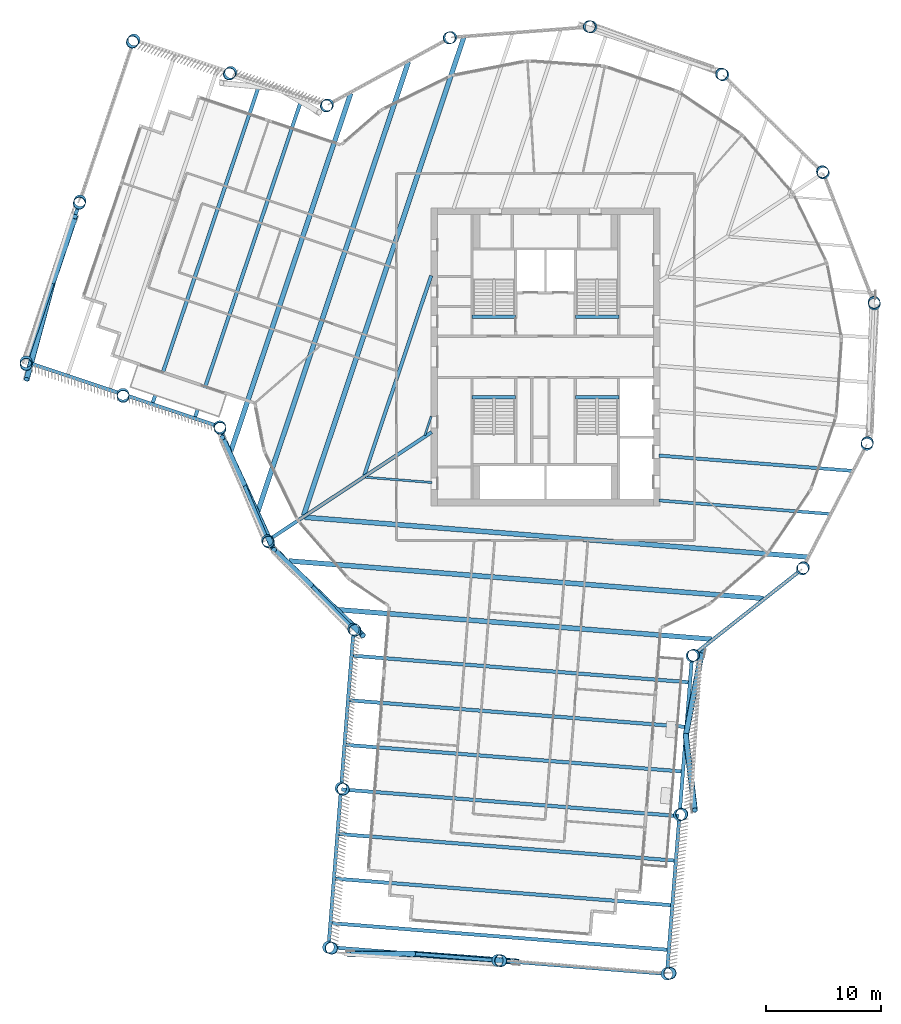
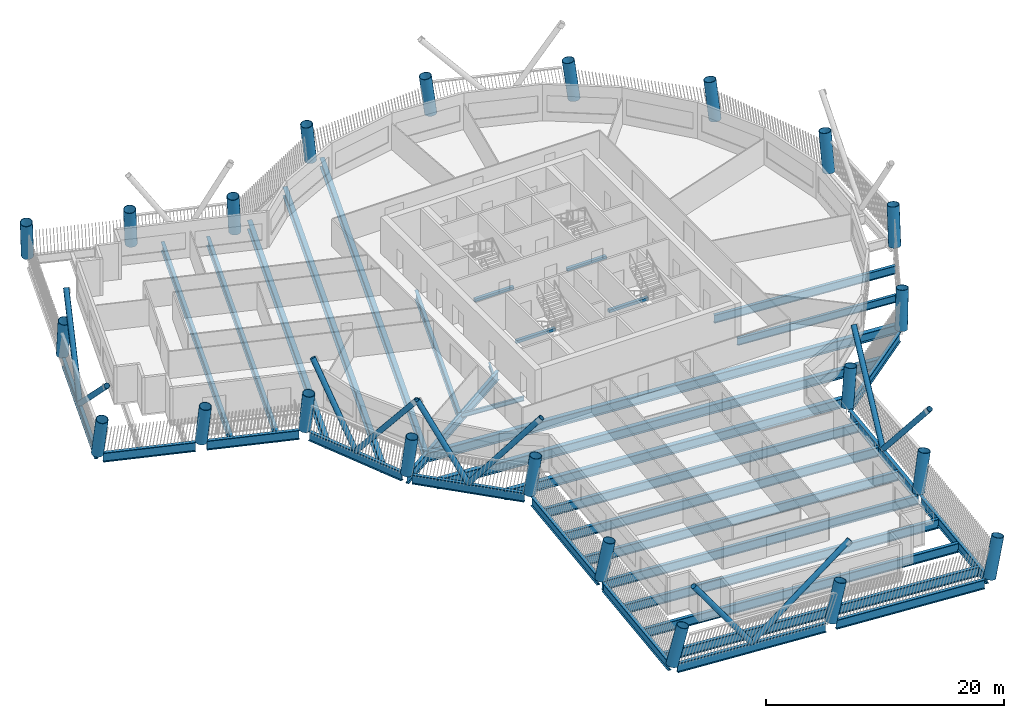
# One storey, part 1 of 21: 37 beams, 22 columns, 10 members.
"""IFC4 building model written with IfcOpenShell, lengths in metres."""

from ifc_helpers import new_model, si_unit, direction, frame, origin, origin_2d, place, context, subcontext, project, spatial, rectangle, hollow_circle, i_section, extrude, material, material_profile, profile_set, type_object, element, save


model = new_model("IFC4")

# Units and contexts
model_context = context("Model", 3, precision=1e-05, world=origin(), true_north=direction((0.0, 1.0)))
body_context = subcontext(model_context, "Body", "Model", "MODEL_VIEW")
ifc_project = project(units=[si_unit("LENGTHUNIT", "METRE"), si_unit("AREAUNIT", "SQUARE_METRE"), si_unit("VOLUMEUNIT", "CUBIC_METRE"), si_unit("PLANEANGLEUNIT", "RADIAN"), si_unit("MASSUNIT", "GRAM", prefix="KILO")], contexts=[model_context])

# Site, building, storey
site_placement = place(None, origin())
site = spatial("IfcSite", under=ifc_project, at=site_placement, CompositionType="ELEMENT")
building_placement = place(site_placement, origin())
building = spatial("IfcBuilding", under=site, at=building_placement, Name="Tarsis Ring Headquarters", CompositionType="ELEMENT")
storey_placement = place(building_placement, frame((0.0, 0.0, 208.199951171875)))
storey = spatial("IfcBuildingStorey", under=building, at=storey_placement, Name="L48", CompositionType="ELEMENT", Elevation=208.199951171875)

# Columns
ifc_material_1 = material(Name="Structural steel S355", Category="steel")
ifc_material_profile_1 = material_profile(ifc_material_1, hollow_circle(Radius=0.533447265625, WallThickness=0.044921875, at=origin_2d()), Name="CHS 1067x45")
ifc_profile_set_1 = profile_set([ifc_material_profile_1], Name="Structural steel S355")
column_type = type_object("IfcColumnType", Name="XC Exo column CHS 1067x45", PredefinedType="COLUMN", material=ifc_profile_set_1)
for number, where, z_axis, x_axis, name in (
    (1, (-24.228759765625, -16.024658203125, 0.001220703125), (0.06917861077, -0.102680202149, 0.992305948737), (0.829337229102, 0.558748387403, 0.0), "Exo column XC5 F1"),
    (2, (-16.7236328125, -23.75146484375, 0.001220703125), (0.101809809311, -0.070483714138, 0.992303788549), (0.56920997883, 0.822192191644, 0.0), "Exo column XC5 AK"),
):
    element("IfcColumn", number, at=place(storey_placement, frame(where, z_axis=z_axis, x_axis=x_axis)), inside=storey, type_object=column_type, Name=name, PredefinedType="COLUMN", context=body_context, shape_type="SweptSolid", body=[
        extrude(hollow_circle(Radius=0.533447265625, WallThickness=0.044921875, at=origin_2d()), origin(), (0.0, 0.0, 1.0), 3.927978515625),
    ])
column_1_placement = place(storey_placement, frame((-17.819091796875, -37.610595703125, 0.00146484375), z_axis=(0.159656632717, -0.074000756763, 0.984395066845), x_axis=(0.420524337535, 0.907281258233, 0.0)))
element("IfcColumn", 3, at=column_1_placement, inside=storey, type_object=column_type, Name="Exo column XC5 AI1", PredefinedType="COLUMN", context=body_context, shape_type="SweptSolid", body=[
    extrude(hollow_circle(Radius=0.533447265625, WallThickness=0.044921875, at=origin_2d()), origin(), (0.0, 0.0, 1.0), 3.958984375),
])
column_2_placement = place(storey_placement, frame((-18.91455078125, -51.469482421875, 0.001708984375), z_axis=(0.21588057104, -0.077326713017, 0.973353049259), x_axis=(0.337212290085, 0.941428633204, 0.0)))
element("IfcColumn", 4, at=column_2_placement, inside=storey, type_object=column_type, Name="Exo column XC5 AT1", PredefinedType="COLUMN", context=body_context, shape_type="SweptSolid", body=[
    extrude(hollow_circle(Radius=0.533447265625, WallThickness=0.044921875, at=origin_2d()), origin(), (0.0, 0.0, 1.0), 4.00341796875),
])
column_3_placement = place(storey_placement, frame((-4.16064453125, -52.6357421875, 0.001708984375), z_axis=(0.220693571578, -0.015580526233, 0.975218741958), x_axis=(0.070422728568, 0.997517237596, 0.0)))
element("IfcColumn", 5, at=column_3_placement, inside=storey, type_object=column_type, Name="Exo column XC5 AT2", PredefinedType="COLUMN", context=body_context, shape_type="SweptSolid", body=[
    extrude(hollow_circle(Radius=0.533447265625, WallThickness=0.044921875, at=origin_2d()), origin(), (0.0, 0.0, 1.0), 3.995849609375),
])
column_4_placement = place(storey_placement, frame((10.59326171875, -53.802001953125, 0.001708984375), z_axis=(0.224601958053, 0.046164453502, 0.973356462798), x_axis=(-0.201330228698, 0.979523424433, 0.0)))
element("IfcColumn", 6, at=column_4_placement, inside=storey, type_object=column_type, Name="Exo column XC5 AT3", PredefinedType="COLUMN", context=body_context, shape_type="SweptSolid", body=[
    extrude(hollow_circle(Radius=0.533447265625, WallThickness=0.044921875, at=origin_2d()), origin(), (0.0, 0.0, 1.0), 4.00341796875),
])
column_5_placement = place(storey_placement, frame((11.688720703125, -39.943115234375, 0.00146484375), z_axis=(0.168534482594, 0.050874843813, 0.984381977915), x_axis=(-0.288986420411, 0.957333196342, 0.0)))
element("IfcColumn", 7, at=column_5_placement, inside=storey, type_object=column_type, Name="Exo column XC5 AO1", PredefinedType="COLUMN", context=body_context, shape_type="SweptSolid", body=[
    extrude(hollow_circle(Radius=0.533447265625, WallThickness=0.044921875, at=origin_2d()), origin(), (0.0, 0.0, 1.0), 3.958984375),
])
for number, where, z_axis, x_axis, name in (
    (8, (12.7841796875, -26.083984375, 0.001220703125), (0.110760035569, 0.055380017784, 0.992303012265), (-0.4472135955, 0.894427191, 0.0), "Exo column XC5 AJ"),
    (9, (22.3994140625, -18.49560546875, 0.001220703125), (0.078004578595, 0.096153851065, 0.992305256785), (-0.776589790531, 0.630006585079, 0.0), "Exo column XC5 R1"),
    (10, (28.03173828125, -7.618408203125, 0.001220703125), (0.0314503829, 0.11977250563, 0.992303088935), (-0.967210932296, 0.253974432663, 0.0), "Exo column XC5 R2"),
    (11, (28.679931640625, 4.61328125, 0.001220703125), (-0.02069763118, 0.122072515427, 0.992305350707), (-0.985928743026, -0.167166125981, 0.0), "Exo column XC5 R3"),
    (12, (24.228759765625, 16.024658203125, 0.001220703125), (-0.06917861077, 0.102680202149, 0.992305948737), (-0.829337229102, -0.558748387403, 0.0), "Exo column XC5 R4"),
    (13, (15.469482421875, 24.5869140625, 0.001220703125), (-0.105353019813, 0.065014311932, 0.992307351812), (-0.525161483313, -0.851002594852, 0.0), "Exo column XC5 R5"),
    (14, (3.959716796875, 28.77734375, 0.001220703125), (-0.122818040081, 0.015849494039, 0.992302636583), (-0.127987263137, -0.9917758116, 0.0), "Exo column XC5 R6"),
    (15, (-8.25390625, 27.85107421875, 0.001220703125), (-0.118466750299, -0.036174002452, 0.992298881699), (0.292040054388, -0.956406088768, 0.0), "Exo column XC5 R7"),
    (16, (-19.000244140625, 21.972900390625, 0.001220703125), (-0.092983649687, -0.081795777398, 0.992302117145), (0.660492114826, -0.750832981596, 0.0), "Exo column XC5 BJ"),
):
    element("IfcColumn", number, at=place(storey_placement, frame(where, z_axis=z_axis, x_axis=x_axis)), inside=storey, type_object=column_type, Name=name, PredefinedType="COLUMN", context=body_context, shape_type="SweptSolid", body=[
        extrude(hollow_circle(Radius=0.533447265625, WallThickness=0.044921875, at=origin_2d()), origin(), (0.0, 0.0, 1.0), 3.927978515625),
    ])
column_6_placement = place(storey_placement, frame((-27.44140625, 24.800537109375, 0.001220703125), z_axis=(-0.104242315147, -0.117295803869, 0.987610871815), x_axis=(0.747474568205, -0.664290425858, 0.0)))
element("IfcColumn", 17, at=column_6_placement, inside=storey, type_object=column_type, Name="Exo column XC5 BO1", PredefinedType="COLUMN", context=body_context, shape_type="SweptSolid", body=[
    extrude(hollow_circle(Radius=0.533447265625, WallThickness=0.044921875, at=origin_2d()), origin(), (0.0, 0.0, 1.0), 3.9462890625),
])
column_7_placement = place(storey_placement, frame((-35.882568359375, 27.628173828125, 0.00146484375), z_axis=(-0.115235335313, -0.152314794861, 0.981591065955), x_axis=(0.797481746387, -0.603343073367, 0.0)))
element("IfcColumn", 18, at=column_7_placement, inside=storey, type_object=column_type, Name="Exo column XC5 BT3", PredefinedType="COLUMN", context=body_context, shape_type="SweptSolid", body=[
    extrude(hollow_circle(Radius=0.533447265625, WallThickness=0.044921875, at=origin_2d()), origin(), (0.0, 0.0, 1.0), 3.97021484375),
])
column_8_placement = place(storey_placement, frame((-40.58349609375, 13.594482421875, 0.00146484375), z_axis=(-0.056005221801, -0.171958827334, 0.983510842255), x_axis=(0.950841107137, -0.309679171045, 0.0)))
element("IfcColumn", 19, at=column_8_placement, inside=storey, type_object=column_type, Name="Exo column XC5 BT2", PredefinedType="COLUMN", context=body_context, shape_type="SweptSolid", body=[
    extrude(hollow_circle(Radius=0.533447265625, WallThickness=0.044921875, at=origin_2d()), origin(), (0.0, 0.0, 1.0), 3.962646484375),
])
column_9_placement = place(storey_placement, frame((-45.284423828125, -0.43896484375, 0.00146484375), z_axis=(0.003443553018, -0.190932716457, 0.981597086247), x_axis=(0.999837401357, 0.018032494195, 0.0)))
element("IfcColumn", 20, at=column_9_placement, inside=storey, type_object=column_type, Name="Exo column XC5 BT1", PredefinedType="COLUMN", context=body_context, shape_type="SweptSolid", body=[
    extrude(hollow_circle(Radius=0.533447265625, WallThickness=0.044921875, at=origin_2d()), origin(), (0.0, 0.0, 1.0), 3.97021484375),
])
column_10_placement = place(storey_placement, frame((-36.84326171875, -3.2666015625, 0.001220703125), z_axis=(0.015156847819, -0.156208329562, 0.987607830943), x_axis=(0.995325598881, 0.096576147218, 0.0)))
element("IfcColumn", 21, at=column_10_placement, inside=storey, type_object=column_type, Name="Exo column XC5 BI1", PredefinedType="COLUMN", context=body_context, shape_type="SweptSolid", body=[
    extrude(hollow_circle(Radius=0.533447265625, WallThickness=0.044921875, at=origin_2d()), origin(), (0.0, 0.0, 1.0), 3.9462890625),
])
column_11_placement = place(storey_placement, frame((-28.402099609375, -6.09423828125, 0.001220703125), z_axis=(0.026975327197, -0.1208295762, 0.992306679025), x_axis=(0.975973960756, 0.217887190827, 0.0)))
element("IfcColumn", 22, at=column_11_placement, inside=storey, type_object=column_type, Name="Exo column XC5 BK", PredefinedType="COLUMN", context=body_context, shape_type="SweptSolid", body=[
    extrude(hollow_circle(Radius=0.533447265625, WallThickness=0.044921875, at=origin_2d()), origin(), (0.0, 0.0, 1.0), 3.927978515625),
])

# Beams
ifc_material_profile_2 = material_profile(ifc_material_1, i_section(OverallWidth=0.177734375, OverallDepth=0.406494140625, WebThickness=0.0078125, FlangeThickness=0.0126953125, at=origin_2d()), Name="W16x40")
ifc_profile_set_2 = profile_set([ifc_material_profile_2], Name="Structural steel S355")
beam_type_1 = type_object("IfcBeamType", Name="FB Floor beam W16x40", PredefinedType="JOIST", material=ifc_profile_set_2)
beam_1_placement = place(storey_placement, frame((-9.96826171875, -5.200927734375, -0.363037109375), z_axis=(-0.317621241332, -0.948217668605, 0.0), x_axis=(0.948217668605, -0.317621241332, 0.0)))
element("IfcBeam", 23, at=beam_1_placement, inside=storey, type_object=beam_type_1, Name="Floor beam FB1", PredefinedType="JOIST", context=body_context, shape_type="SweptSolid", body=[
    extrude(i_section(OverallWidth=0.177734375, OverallDepth=0.406494140625, WebThickness=0.0078125, FlangeThickness=0.0126953125, at=origin_2d()), origin(), (0.0, 0.0, 1.0), 1.734130859375),
])
ifc_material_profile_3 = material_profile(ifc_material_1, i_section(OverallWidth=0.1904296875, OverallDepth=0.457275390625, WebThickness=0.009033203125, FlangeThickness=0.014404296875, at=origin_2d()), Name="W18x50")
ifc_profile_set_3 = profile_set([ifc_material_profile_3], Name="Structural steel S355")
beam_type_2 = type_object("IfcBeamType", Name="FB Floor beam W18x50", PredefinedType="JOIST", material=ifc_profile_set_3)
beam_2_placement = place(storey_placement, frame((-15.699462890625, -10.495361328125, -0.388671875), z_axis=(0.996889043418, -0.078817733488, 0.0), x_axis=(0.078817733488, 0.996889043418, 0.0)))
element("IfcBeam", 24, at=beam_2_placement, inside=storey, type_object=beam_type_2, Name="Floor beam FB2", PredefinedType="JOIST", context=body_context, shape_type="SweptSolid", body=[
    extrude(i_section(OverallWidth=0.1904296875, OverallDepth=0.457275390625, WebThickness=0.009033203125, FlangeThickness=0.014404296875, at=origin_2d()), origin(), (0.0, 0.0, 1.0), 5.817138671875),
])
ifc_material_profile_4 = material_profile(ifc_material_1, i_section(OverallWidth=0.2666015625, OverallDepth=0.7568359375, WebThickness=0.013916015625, FlangeThickness=0.019287109375, at=origin_2d()), Name="W30x108")
ifc_profile_set_4 = profile_set([ifc_material_profile_4], Name="Structural steel S355")
beam_type_3 = type_object("IfcBeamType", Name="FB Floor beam W30x108", PredefinedType="JOIST", material=ifc_profile_set_4)
beam_3_placement = place(storey_placement, frame((9.900390625, -12.51904296875, -0.538330078125), z_axis=(0.996889414895, -0.078813034897, 0.0), x_axis=(0.078813034897, 0.996889414895, 0.0)))
element("IfcBeam", 25, at=beam_3_placement, inside=storey, type_object=beam_type_3, Name="Floor beam FB6", PredefinedType="JOIST", context=body_context, shape_type="SweptSolid", body=[
    extrude(i_section(OverallWidth=0.2666015625, OverallDepth=0.7568359375, WebThickness=0.013916015625, FlangeThickness=0.019287109375, at=origin_2d()), origin(), (0.0, 0.0, 1.0), 14.958984375),
])
ifc_material_profile_5 = material_profile(ifc_material_1, i_section(OverallWidth=0.2919921875, OverallDepth=0.835693359375, WebThickness=0.013916015625, FlangeThickness=0.018798828125, at=origin_2d()), Name="W33x118")
ifc_profile_set_5 = profile_set([ifc_material_profile_5], Name="Structural steel S355")
beam_type_4 = type_object("IfcBeamType", Name="FB Floor beam W33x118", PredefinedType="JOIST", material=ifc_profile_set_5)
beam_4_placement = place(storey_placement, frame((9.900390625, -8.60693359375, -0.577880859375), z_axis=(0.996889707509, -0.078809333603, 0.0), x_axis=(0.078809333603, 0.996889707509, 0.0)))
element("IfcBeam", 26, at=beam_4_placement, inside=storey, type_object=beam_type_4, Name="Floor beam FB7", PredefinedType="JOIST", context=body_context, shape_type="SweptSolid", body=[
    extrude(i_section(OverallWidth=0.2919921875, OverallDepth=0.835693359375, WebThickness=0.013916015625, FlangeThickness=0.018798828125, at=origin_2d()), origin(), (0.0, 0.0, 1.0), 16.9111328125),
])
ifc_material_profile_6 = material_profile(ifc_material_1, i_section(OverallWidth=0.3046875, OverallDepth=0.904296875, WebThickness=0.01513671875, FlangeThickness=0.02001953125, at=origin_2d()), Name="W36x135")
ifc_profile_set_6 = profile_set([ifc_material_profile_6], Name="Structural steel S355")
beam_type_5 = type_object("IfcBeamType", Name="FB Floor beam W36x135", PredefinedType="JOIST", material=ifc_profile_set_6)
beam_5_placement = place(storey_placement, frame((-9.96826171875, 7.0771484375, -0.612060546875), z_axis=(-0.31763102018, -0.948214392962, 0.0), x_axis=(0.948214392962, -0.31763102018, 0.0)))
element("IfcBeam", 27, at=beam_5_placement, inside=storey, type_object=beam_type_5, Name="Floor beam FB8", PredefinedType="JOIST", context=body_context, shape_type="SweptSolid", body=[
    extrude(i_section(OverallWidth=0.3046875, OverallDepth=0.904296875, WebThickness=0.01513671875, FlangeThickness=0.02001953125, at=origin_2d()), origin(), (0.0, 0.0, 1.0), 18.367919921875),
])
ifc_material_profile_7 = material_profile(ifc_material_1, i_section(OverallWidth=0.309814453125, OverallDepth=0.949951171875, WebThickness=0.0244140625, FlangeThickness=0.0439453125, at=origin_2d()), Name="W36x256")
ifc_profile_set_7 = profile_set([ifc_material_profile_7], Name="Structural steel S355")
beam_type_6 = type_object("IfcBeamType", Name="FB Floor beam W36x256", PredefinedType="JOIST", material=ifc_profile_set_7)
for number, where, z_axis, x_axis, name in (
    (28, (-16.8505859375, -26.052978515625, -0.635009765625), (0.996889390872, -0.078813338768, 0.0), (0.078813338768, 0.996889390872, 0.0), "Floor beam FB11"),
    (29, (-17.157958984375, -29.94091796875, -0.635009765625), (0.996890041281, -0.078805111472, 0.0), (0.078805111472, 0.996890041281, 0.0), "Floor beam FB11"),
    (30, (-17.46533203125, -33.828857421875, -0.635009765625), (0.996890041281, -0.078805111472, 0.0), (0.078805111472, 0.996890041281, 0.0), "Floor beam FB11"),
    (31, (-17.772705078125, -37.716796875, -0.635009765625), (0.996890041281, -0.078805111472, 0.0), (0.078805111472, 0.996890041281, 0.0), "Floor beam FB11"),
    (32, (-18.080078125, -41.6044921875, -0.635009765625), (0.996889390872, -0.078813338768, 0.0), (0.078813338768, 0.996889390872, 0.0), "Floor beam FB11"),
    (33, (-18.387451171875, -45.492431640625, -0.635009765625), (0.996890041281, -0.078805111472, 0.0), (0.078805111472, 0.996890041281, 0.0), "Floor beam FB11"),
    (34, (-18.69482421875, -49.38037109375, -0.635009765625), (0.996890041281, -0.078805111472, 0.0), (0.078805111472, 0.996890041281, 0.0), "Floor beam FB11"),
    (35, (-21.20263671875, 22.65283203125, -0.635009765625), (-0.317638111096, -0.948212017631, 0.0), (0.948212017631, -0.317638111096, 0.0), "Floor beam FB11"),
    (36, (-24.900634765625, 23.8916015625, -0.635009765625), (-0.317638111096, -0.948212017631, 0.0), (0.948212017631, -0.317638111096, 0.0), "Floor beam FB11"),
):
    element("IfcBeam", number, at=place(storey_placement, frame(where, z_axis=z_axis, x_axis=x_axis)), inside=storey, type_object=beam_type_6, Name=name, PredefinedType="JOIST", context=body_context, shape_type="SweptSolid", body=[
        extrude(i_section(OverallWidth=0.309814453125, OverallDepth=0.949951171875, WebThickness=0.0244140625, FlangeThickness=0.0439453125, at=origin_2d()), origin(), (0.0, 0.0, 1.0), 29.490234375),
    ])
beam_type_7 = type_object("IfcBeamType", Name="FB Floor beam W36x256 spine", PredefinedType="BEAM", material=ifc_profile_set_7)
beam_6_placement = place(storey_placement, frame((-9.91650390625, -6.55859375, -0.635009765625), z_axis=(-0.834078455708, -0.551645837221, 0.0), x_axis=(0.551645837221, -0.834078455708, 0.0)))
element("IfcBeam", 37, at=beam_6_placement, inside=storey, type_object=beam_type_7, Name="Floor beam SB11", PredefinedType="BEAM", context=body_context, shape_type="SweptSolid", body=[
    extrude(i_section(OverallWidth=0.309814453125, OverallDepth=0.949951171875, WebThickness=0.0244140625, FlangeThickness=0.0439453125, at=origin_2d()), origin(), (0.0, 0.0, 1.0), 17.101806640625),
])
ifc_material_profile_8 = material_profile(ifc_material_1, i_section(OverallWidth=0.42431640625, OverallDepth=0.947509765625, WebThickness=0.02392578125, FlangeThickness=0.042724609375, at=origin_2d()), Name="W36x302")
ifc_profile_set_8 = profile_set([ifc_material_profile_8], Name="Structural steel S355")
beam_type_8 = type_object("IfcBeamType", Name="FB Floor beam W36x302", PredefinedType="JOIST", material=ifc_profile_set_8)
beam_7_placement = place(storey_placement, frame((-20.983154296875, -13.989990234375, -0.633544921875), z_axis=(0.996890156079, -0.07880365926, 0.0), x_axis=(0.07880365926, 0.996890156079, 0.0)))
element("IfcBeam", 38, at=beam_7_placement, inside=storey, type_object=beam_type_8, Name="Floor beam FB12", PredefinedType="JOIST", context=body_context, shape_type="SweptSolid", body=[
    extrude(i_section(OverallWidth=0.42431640625, OverallDepth=0.947509765625, WebThickness=0.02392578125, FlangeThickness=0.042724609375, at=origin_2d()), origin(), (0.0, 0.0, 1.0), 43.986572265625),
])
beam_8_placement = place(storey_placement, frame((-22.38916015625, -17.791015625, -0.633544921875), z_axis=(0.996890155742, -0.078803663522, 0.0), x_axis=(0.078803663522, 0.996890155742, 0.0)))
element("IfcBeam", 39, at=beam_8_placement, inside=storey, type_object=beam_type_8, Name="Floor beam FB12", PredefinedType="JOIST", context=body_context, shape_type="SweptSolid", body=[
    extrude(i_section(OverallWidth=0.42431640625, OverallDepth=0.947509765625, WebThickness=0.02392578125, FlangeThickness=0.042724609375, at=origin_2d()), origin(), (0.0, 0.0, 1.0), 41.523681640625),
])
beam_9_placement = place(storey_placement, frame((-18.273193359375, -22.028564453125, -0.633544921875), z_axis=(0.996890416008, -0.078800371015, 0.0), x_axis=(0.078800371015, 0.996890416008, 0.0)))
element("IfcBeam", 40, at=beam_9_placement, inside=storey, type_object=beam_type_8, Name="Floor beam FB12", PredefinedType="JOIST", context=body_context, shape_type="SweptSolid", body=[
    extrude(i_section(OverallWidth=0.42431640625, OverallDepth=0.947509765625, WebThickness=0.02392578125, FlangeThickness=0.042724609375, at=origin_2d()), origin(), (0.0, 0.0, 1.0), 32.875244140625),
])
beam_10_placement = place(storey_placement, frame((-7.114501953125, 27.87451171875, -0.633544921875), z_axis=(-0.317634427508, -0.948213251574, 0.0), x_axis=(0.948213251574, -0.317634427508, 0.0)))
element("IfcBeam", 41, at=beam_10_placement, inside=storey, type_object=beam_type_8, Name="Floor beam FB12", PredefinedType="JOIST", context=body_context, shape_type="SweptSolid", body=[
    extrude(i_section(OverallWidth=0.42431640625, OverallDepth=0.947509765625, WebThickness=0.02392578125, FlangeThickness=0.042724609375, at=origin_2d()), origin(), (0.0, 0.0, 1.0), 43.986572265625),
])
beam_11_placement = place(storey_placement, frame((-11.94482421875, 25.733154296875, -0.633544921875), z_axis=(-0.317634974091, -0.948213068479, 0.0), x_axis=(0.948213068479, -0.317634974091, 0.0)))
element("IfcBeam", 42, at=beam_11_placement, inside=storey, type_object=beam_type_8, Name="Floor beam FB12", PredefinedType="JOIST", context=body_context, shape_type="SweptSolid", body=[
    extrude(i_section(OverallWidth=0.42431640625, OverallDepth=0.947509765625, WebThickness=0.02392578125, FlangeThickness=0.042724609375, at=origin_2d()), origin(), (0.0, 0.0, 1.0), 41.52392578125),
])
beam_12_placement = place(storey_placement, frame((-16.98046875, 22.978515625, -0.633544921875), z_axis=(-0.317635434145, -0.948212914369, 0.0), x_axis=(0.948212914369, -0.317635434145, 0.0)))
element("IfcBeam", 43, at=beam_12_placement, inside=storey, type_object=beam_type_8, Name="Floor beam FB12", PredefinedType="JOIST", context=body_context, shape_type="SweptSolid", body=[
    extrude(i_section(OverallWidth=0.42431640625, OverallDepth=0.947509765625, WebThickness=0.02392578125, FlangeThickness=0.042724609375, at=origin_2d()), origin(), (0.0, 0.0, 1.0), 32.87548828125),
])
ifc_material_2 = material(Name="Concrete C40/50", Category="concrete")
ifc_material_profile_9 = material_profile(ifc_material_2, rectangle(XDim=0.300048828125, YDim=0.300048828125, at=origin_2d()), Name="Stair head beam 300x300 C40/50")
ifc_profile_set_9 = profile_set([ifc_material_profile_9], Name="Concrete C40/50")
beam_type_9 = type_object("IfcBeamType", Name="Stair head beam 300x300 C40/50", PredefinedType="BEAM", material=ifc_profile_set_9)
for number, where, z_axis, x_axis, name in (
    (44, (-6.39990234375, 3.510009765625, -0.31005859375), (1.0, 0.0, 0.0), (0.0, 1.0, 0.0), "Stair head beam L48 Firefighting stair"),
    (45, (2.60009765625, 3.510009765625, -0.31005859375), (1.0, 0.0, 0.0), (0.0, 1.0, 0.0), "Stair head beam L48 Exit stair B"),
    (46, (-6.39990234375, -3.510009765625, -0.31005859375), (1.0, 0.0, 0.0), (0.0, 1.0, 0.0), "Stair head beam L48 Exit stair C"),
    (47, (2.60009765625, -3.510009765625, -0.31005859375), (1.0, 0.0, 0.0), (0.0, 1.0, 0.0), "Stair head beam L48 Exit stair D"),
):
    element("IfcBeam", number, at=place(storey_placement, frame(where, z_axis=z_axis, x_axis=x_axis)), inside=storey, type_object=beam_type_9, Name=name, PredefinedType="BEAM", context=body_context, shape_type="SweptSolid", body=[
        extrude(rectangle(XDim=0.300048828125, YDim=0.300048828125, at=origin_2d()), origin(), (0.0, 0.0, 1.0), 3.7998046875),
    ])

# Members
ifc_material_profile_10 = material_profile(ifc_material_1, hollow_circle(Radius=0.25390625, WallThickness=0.02001953125, at=origin_2d()), Name="CHS 508x20")
ifc_profile_set_10 = profile_set([ifc_material_profile_10], Name="Structural steel S355")
member_type = type_object("IfcMemberType", Name="XD X brace CHS 508x20", PredefinedType="BRACE", material=ifc_profile_set_10)
member_1_placement = place(storey_placement, frame((-20.476318359375, -19.887939453125, 0.0), z_axis=(0.453355644605, -0.438711684154, 0.775887052148), x_axis=(0.695405396535, 0.718617655273, 0.0)))
element("IfcMember", 48, at=member_1_placement, inside=storey, type_object=member_type, Name="X brace XD2", PredefinedType="BRACE", context=body_context, shape_type="SweptSolid", body=[
    extrude(hollow_circle(Radius=0.25390625, WallThickness=0.02001953125, at=origin_2d()), origin(), (0.0, 0.0, 1.0), 10.052978515625),
])
member_2_placement = place(storey_placement, frame((-20.476318359375, -19.887939453125, 0.0), z_axis=(-0.356955903896, 0.341224259789, 0.869567988834), x_axis=(-0.690998609174, -0.722856086728, 0.0)))
element("IfcMember", 49, at=member_2_placement, inside=storey, type_object=member_type, Name="X brace XD2", PredefinedType="BRACE", context=body_context, shape_type="SweptSolid", body=[
    extrude(hollow_circle(Radius=0.25390625, WallThickness=0.02001953125, at=origin_2d()), origin(), (0.0, 0.0, 1.0), 8.969970703125),
])
member_3_placement = place(storey_placement, frame((-11.5380859375, -52.052734375, 0.0), z_axis=(0.759500485002, -0.057557274598, 0.647955379191), x_axis=(0.075566383999, 0.997140773216, 0.0)))
element("IfcMember", 50, at=member_3_placement, inside=storey, type_object=member_type, Name="X brace XD2", PredefinedType="BRACE", context=body_context, shape_type="SweptSolid", body=[
    extrude(hollow_circle(Radius=0.25390625, WallThickness=0.02001953125, at=origin_2d()), origin(), (0.0, 0.0, 1.0), 12.037841796875),
])
member_4_placement = place(storey_placement, frame((-11.5380859375, -52.052734375, 0.0), z_axis=(-0.586067671513, -0.002231769228, 0.810259034885), x_axis=(0.003808012547, -0.999992749494, 0.0)))
element("IfcMember", 51, at=member_4_placement, inside=storey, type_object=member_type, Name="X brace XD2", PredefinedType="BRACE", context=body_context, shape_type="SweptSolid", body=[
    extrude(hollow_circle(Radius=0.25390625, WallThickness=0.02001953125, at=origin_2d()), origin(), (0.0, 0.0, 1.0), 9.626708984375),
])
member_5_placement = place(storey_placement, frame((12.236328125, -33.013671875, 0.0), z_axis=(0.130665677938, 0.681022116393, 0.720510484027), x_axis=(-0.982086618394, 0.188430024074, 0.0)))
element("IfcMember", 52, at=member_5_placement, inside=storey, type_object=member_type, Name="X brace XD2", PredefinedType="BRACE", context=body_context, shape_type="SweptSolid", body=[
    extrude(hollow_circle(Radius=0.25390625, WallThickness=0.02001953125, at=origin_2d()), origin(), (0.0, 0.0, 1.0), 10.82568359375),
])
member_6_placement = place(storey_placement, frame((12.236328125, -33.013671875, 0.0), z_axis=(0.076906151672, -0.639176103913, 0.765205431255), x_axis=(0.992839116316, 0.11945915249, 0.0)))
element("IfcMember", 53, at=member_6_placement, inside=storey, type_object=member_type, Name="X brace XD2", PredefinedType="BRACE", context=body_context, shape_type="SweptSolid", body=[
    extrude(hollow_circle(Radius=0.25390625, WallThickness=0.02001953125, at=origin_2d()), origin(), (0.0, 0.0, 1.0), 10.193359375),
])
member_7_placement = place(storey_placement, frame((-42.93408203125, 6.578125, 0.0), z_axis=(-0.195952868208, -0.723822520155, 0.661576475366), x_axis=(0.965254092346, -0.26131310187, 0.0)))
element("IfcMember", 54, at=member_7_placement, inside=storey, type_object=member_type, Name="X brace XD2", PredefinedType="BRACE", context=body_context, shape_type="SweptSolid", body=[
    extrude(hollow_circle(Radius=0.25390625, WallThickness=0.02001953125, at=origin_2d()), origin(), (0.0, 0.0, 1.0), 11.7900390625),
])
member_8_placement = place(storey_placement, frame((-42.93408203125, 6.578125, 0.0), z_axis=(0.195309618859, 0.575288261253, 0.794290607552), x_axis=(-0.946917318748, 0.321477202078, 0.0)))
element("IfcMember", 55, at=member_8_placement, inside=storey, type_object=member_type, Name="X brace XD2", PredefinedType="BRACE", context=body_context, shape_type="SweptSolid", body=[
    extrude(hollow_circle(Radius=0.25390625, WallThickness=0.02001953125, at=origin_2d()), origin(), (0.0, 0.0, 1.0), 9.820068359375),
])
member_9_placement = place(storey_placement, frame((-26.3154296875, -11.059326171875, 0.0), z_axis=(0.262329589984, -0.573739729993, 0.775890397187), x_axis=(0.909445361643, 0.415823441121, 0.0)))
element("IfcMember", 56, at=member_9_placement, inside=storey, type_object=member_type, Name="X brace XD2", PredefinedType="BRACE", context=body_context, shape_type="SweptSolid", body=[
    extrude(hollow_circle(Radius=0.25390625, WallThickness=0.02001953125, at=origin_2d()), origin(), (0.0, 0.0, 1.0), 10.052978515625),
])
member_10_placement = place(storey_placement, frame((-26.3154296875, -11.059326171875, 0.0), z_axis=(-0.208076807654, 0.447834636121, 0.869567812656), x_axis=(-0.906890138694, -0.421367151472, 0.0)))
element("IfcMember", 57, at=member_10_placement, inside=storey, type_object=member_type, Name="X brace XD2", PredefinedType="BRACE", context=body_context, shape_type="SweptSolid", body=[
    extrude(hollow_circle(Radius=0.25390625, WallThickness=0.02001953125, at=origin_2d()), origin(), (0.0, 0.0, 1.0), 8.969970703125),
])

# Beams
beam_type_10 = type_object("IfcBeamType", Name="XG Ring girder W36x256", PredefinedType="BEAM", material=ifc_profile_set_7)
beam_13_placement = place(storey_placement, frame((-23.894287109375, -16.368896484375, -0.474853515625), z_axis=(0.696730084221, -0.71733338814, 0.0), x_axis=(0.71733338814, 0.696730084221, 0.0)))
element("IfcBeam", 58, at=beam_13_placement, inside=storey, type_object=beam_type_10, Name="Ring girder XG2", PredefinedType="BEAM", context=body_context, shape_type="SweptSolid", body=[
    extrude(i_section(OverallWidth=0.309814453125, OverallDepth=0.949951171875, WebThickness=0.0244140625, FlangeThickness=0.0439453125, at=origin_2d()), origin(), (0.0, 0.0, 1.0), 9.8115234375),
])
for number, where, z_axis, x_axis, name in (
    (59, (-16.76171875, -24.22998046875, -0.474853515625), (-0.078795234522, -0.996890822014, 0.0), (0.996890822014, -0.078795234522, 0.0), "Ring girder XG2"),
    (60, (-17.857177734375, -38.089111328125, -0.474853515625), (-0.078813981433, -0.996889340063, 0.0), (0.996889340063, -0.078813981433, 0.0), "Ring girder XG2"),
):
    element("IfcBeam", number, at=place(storey_placement, frame(where, z_axis=z_axis, x_axis=x_axis)), inside=storey, type_object=beam_type_10, Name=name, PredefinedType="BEAM", context=body_context, shape_type="SweptSolid", body=[
        extrude(i_section(OverallWidth=0.309814453125, OverallDepth=0.949951171875, WebThickness=0.0244140625, FlangeThickness=0.0439453125, at=origin_2d()), origin(), (0.0, 0.0, 1.0), 12.942138671875),
    ])
for number, where, z_axis, x_axis, name in (
    (61, (-18.4365234375, -51.50732421875, -0.474853515625), (0.99689049535, -0.078799367262, 0.0), (0.078799367262, 0.99689049535, 0.0), "Ring girder XG2"),
    (62, (-3.682373046875, -52.673583984375, -0.474853515625), (0.996889109473, -0.078816898024, 0.0), (0.078816898024, 0.996889109473, 0.0), "Ring girder XG2"),
):
    element("IfcBeam", number, at=place(storey_placement, frame(where, z_axis=z_axis, x_axis=x_axis)), inside=storey, type_object=beam_type_10, Name=name, PredefinedType="BEAM", context=body_context, shape_type="SweptSolid", body=[
        extrude(i_section(OverallWidth=0.309814453125, OverallDepth=0.949951171875, WebThickness=0.0244140625, FlangeThickness=0.0439453125, at=origin_2d()), origin(), (0.0, 0.0, 1.0), 13.83984375),
    ])
for number, where, z_axis, x_axis, name in (
    (63, (10.630859375, -53.323486328125, -0.474853515625), (0.078795234522, 0.996890822014, 0.0), (-0.996890822014, 0.078795234522, 0.0), "Ring girder XG2"),
    (64, (11.726318359375, -39.464599609375, -0.474853515625), (0.078813981433, 0.996889340063, 0.0), (-0.996889340063, 0.078813981433, 0.0), "Ring girder XG2"),
):
    element("IfcBeam", number, at=place(storey_placement, frame(where, z_axis=z_axis, x_axis=x_axis)), inside=storey, type_object=beam_type_10, Name=name, PredefinedType="BEAM", context=body_context, shape_type="SweptSolid", body=[
        extrude(i_section(OverallWidth=0.309814453125, OverallDepth=0.949951171875, WebThickness=0.0244140625, FlangeThickness=0.0439453125, at=origin_2d()), origin(), (0.0, 0.0, 1.0), 12.942138671875),
    ])
beam_14_placement = place(storey_placement, frame((13.160888671875, -25.78662109375, -0.474853515625), z_axis=(0.784993471188, 0.619504035655, 0.0), x_axis=(-0.619504035655, 0.784993471188, 0.0)))
element("IfcBeam", 65, at=beam_14_placement, inside=storey, type_object=beam_type_10, Name="Ring girder XG2", PredefinedType="BEAM", context=body_context, shape_type="SweptSolid", body=[
    extrude(i_section(OverallWidth=0.309814453125, OverallDepth=0.949951171875, WebThickness=0.0244140625, FlangeThickness=0.0439453125, at=origin_2d()), origin(), (0.0, 0.0, 1.0), 11.288818359375),
])
beam_15_placement = place(storey_placement, frame((-40.736083984375, 13.1396484375, -0.474853515625), z_axis=(-0.317629818063, -0.948214795643, 0.0), x_axis=(0.948214795643, -0.317629818063, 0.0)))
element("IfcBeam", 66, at=beam_15_placement, inside=storey, type_object=beam_type_10, Name="Ring girder XG2", PredefinedType="BEAM", context=body_context, shape_type="SweptSolid", body=[
    extrude(i_section(OverallWidth=0.309814453125, OverallDepth=0.949951171875, WebThickness=0.0244140625, FlangeThickness=0.0439453125, at=origin_2d()), origin(), (0.0, 0.0, 1.0), 13.840087890625),
])
beam_16_placement = place(storey_placement, frame((-44.829345703125, -0.59130859375, -0.474853515625), z_axis=(0.948211923862, -0.317638391015, 0.0), x_axis=(0.317638391015, 0.948211923862, 0.0)))
element("IfcBeam", 67, at=beam_16_placement, inside=storey, type_object=beam_type_10, Name="Ring girder XG2", PredefinedType="BEAM", context=body_context, shape_type="SweptSolid", body=[
    extrude(i_section(OverallWidth=0.309814453125, OverallDepth=0.949951171875, WebThickness=0.0244140625, FlangeThickness=0.0439453125, at=origin_2d()), origin(), (0.0, 0.0, 1.0), 7.942138671875),
])
beam_17_placement = place(storey_placement, frame((-36.38818359375, -3.4189453125, -0.474853515625), z_axis=(0.948215025231, -0.317629132678, 0.0), x_axis=(0.317629132678, 0.948215025231, 0.0)))
element("IfcBeam", 68, at=beam_17_placement, inside=storey, type_object=beam_type_10, Name="Ring girder XG2", PredefinedType="BEAM", context=body_context, shape_type="SweptSolid", body=[
    extrude(i_section(OverallWidth=0.309814453125, OverallDepth=0.949951171875, WebThickness=0.0244140625, FlangeThickness=0.0439453125, at=origin_2d()), origin(), (0.0, 0.0, 1.0), 7.9423828125),
])
beam_18_placement = place(storey_placement, frame((-28.216064453125, -6.53662109375, -0.474853515625), z_axis=(0.387422839785, -0.921902133208, 0.0), x_axis=(0.921902133208, 0.387422839785, 0.0)))
element("IfcBeam", 69, at=beam_18_placement, inside=storey, type_object=beam_type_10, Name="Ring girder XG2", PredefinedType="BEAM", context=body_context, shape_type="SweptSolid", body=[
    extrude(i_section(OverallWidth=0.309814453125, OverallDepth=0.949951171875, WebThickness=0.0244140625, FlangeThickness=0.0439453125, at=origin_2d()), origin(), (0.0, 0.0, 1.0), 9.811767578125),
])

save(model, "model.ifc")
